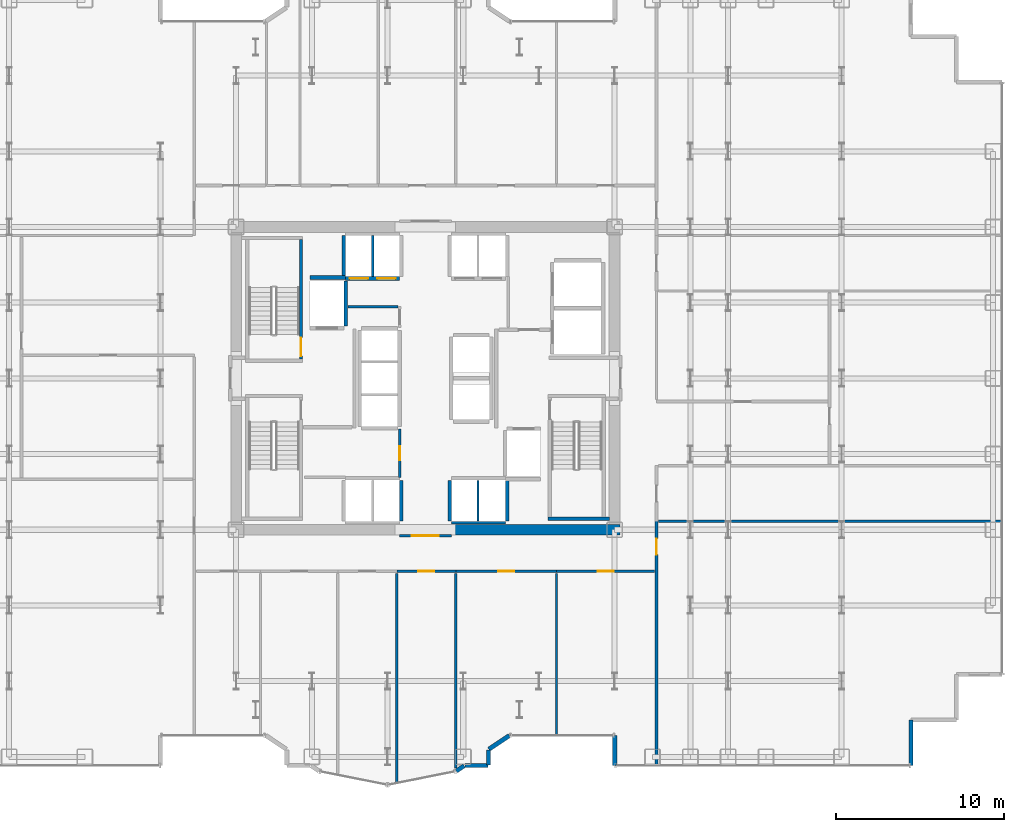
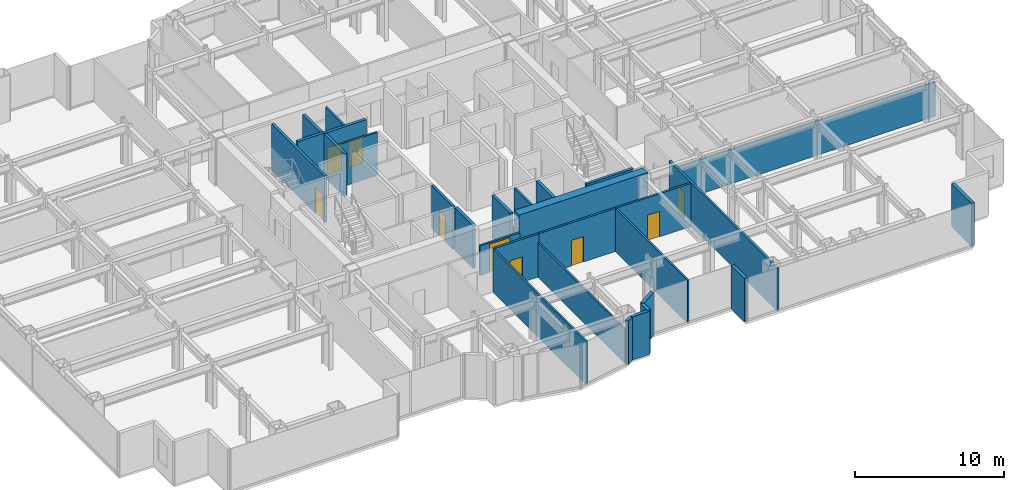
# One storey, part 21 of 26: 30 walls, 9 doors, 9 openings.
"""IFC4 building model written with IfcOpenShell, lengths in metres."""

from ifc_helpers import new_model, si_unit, direction, frame, frame_2d, origin, place, context, subcontext, project, spatial, rectangle, extrude, source, transform, mapped, material, layer, layer_set, type_object, element, fill, save


model = new_model("IFC4")

# Units and contexts
model_context = context("Model", 3, precision=1e-05, world=origin(), true_north=direction((0.0, 1.0)))
body_context = subcontext(model_context, "Body", "Model", "MODEL_VIEW")
ifc_project = project(units=[si_unit("LENGTHUNIT", "METRE"), si_unit("AREAUNIT", "SQUARE_METRE"), si_unit("VOLUMEUNIT", "CUBIC_METRE"), si_unit("PLANEANGLEUNIT", "RADIAN"), si_unit("MASSUNIT", "GRAM", prefix="KILO")], contexts=[model_context])

# Site, building, storey
site_placement = place(None, origin())
site = spatial("IfcSite", under=ifc_project, at=site_placement, CompositionType="ELEMENT")
building_placement = place(site_placement, origin())
building = spatial("IfcBuilding", under=site, at=building_placement, Name="Nefas-Gora Pilgrimage Tower", CompositionType="ELEMENT")
storey_placement = place(building_placement, frame((0.0, 0.0, 63.39990234375)))
storey = spatial("IfcBuildingStorey", under=building, at=storey_placement, Name="L14", CompositionType="ELEMENT", Elevation=63.39990234375)

# Walls
ifc_material_1 = material(Name="Concrete C60/75", Category="concrete")
ifc_layer_1 = layer(ifc_material_1, 0.64990234375)
ifc_layer_set_1 = layer_set([ifc_layer_1], Name="Concrete C60/75")
wall_type_1 = type_object("IfcWallType", Name="SW-CORE-650", PredefinedType="SHEAR", material=ifc_layer_set_1)
shared_shape_1 = source(origin(), body_context, "Body", "SweptSolid", [
    extrude(rectangle(XDim=10.02490234375, YDim=0.64990234375, at=frame_2d((5.012451171875, 0.0))), origin(), (0.0, 0.0, 1.0), 3.800048828125),
])
wall_1_placement = place(storey_placement, frame((1.550048828125, -9.0, 0.0), z_axis=(0.0, 0.0, 1.0), x_axis=(1.0, 0.0, 0.0)))
element("IfcWall", 1, at=wall_1_placement, inside=storey, type_object=wall_type_1, Name="L14 Core Shear Wall S-East", PredefinedType="SHEAR", context=body_context, shape_type="MappedRepresentation", body=[
    mapped(shared_shape_1, transform((0.0, 0.0, 0.0), x_axis=(1.0, 0.0, 0.0), y_axis=(0.0, 1.0, 0.0), z_axis=(0.0, 0.0, 1.0), scale=1.0)),
])
ifc_material_2 = material(Name="Precast concrete C40/50", Category="concrete")
ifc_layer_2 = layer(ifc_material_2, 0.260009765625)
ifc_layer_set_2 = layer_set([ifc_layer_2], Name="Precast concrete C40/50")
wall_type_2 = type_object("IfcWallType", Name="EW-PORTAL-260", PredefinedType="SOLIDWALL", material=ifc_layer_set_2)
shared_shape_2 = source(origin(), body_context, "Body", "SweptSolid", [
    extrude(rectangle(XDim=1.800048828125, YDim=0.260009765625, at=frame_2d((0.89990234375, 0.0))), origin(), (0.0, 0.0, 1.0), 3.550048828125),
])
wall_2_placement = place(storey_placement, frame((11.25, -21.219970703125, 0.0), z_axis=(0.0, 0.0, 1.0), x_axis=(0.0, -1.0, 0.0)))
element("IfcWall", 2, at=wall_2_placement, inside=storey, type_object=wall_type_2, Name="L14 Lobe Shoulder Precast Spandrel Pier 1", PredefinedType="SOLIDWALL", context=body_context, shape_type="MappedRepresentation", body=[
    mapped(shared_shape_2, transform((0.0, 0.0, 0.0), x_axis=(1.0, 0.0, 0.0), y_axis=(0.0, 1.0, 0.0), z_axis=(0.0, 0.0, 1.0), scale=1.0)),
])
ifc_material_3 = material(Name="Precast concrete C45/55", Category="concrete")
ifc_layer_3 = layer(ifc_material_3, 0.239990234375)
ifc_layer_set_3 = layer_set([ifc_layer_3], Name="Precast concrete C45/55")
wall_type_3 = type_object("IfcWallType", Name="EW-SERR-240", PredefinedType="SHEAR", material=ifc_layer_set_3)
shared_shape_3 = source(origin(), body_context, "Body", "SweptSolid", [
    extrude(rectangle(XDim=2.699951171875, YDim=0.239990234375, at=frame_2d((1.35009765625, 0.0))), origin(), (0.0, 0.0, 1.0), 3.550048828125),
])
wall_3_placement = place(storey_placement, frame((28.8701171875, -23.02001953125, 0.0), z_axis=(0.0, 0.0, 1.0), x_axis=(0.0, 1.0, 0.0)))
element("IfcWall", 3, at=wall_3_placement, inside=storey, type_object=wall_type_3, Name="L14 Serrated Corner Shear Pier Wall 2", PredefinedType="SHEAR", context=body_context, shape_type="MappedRepresentation", body=[
    mapped(shared_shape_3, transform((0.0, 0.0, 0.0), x_axis=(1.0, 0.0, 0.0), y_axis=(0.0, 1.0, 0.0), z_axis=(0.0, 0.0, 1.0), scale=1.0)),
])
shared_shape_4 = source(origin(), body_context, "Body", "SweptSolid", [
    extrude(rectangle(XDim=1.468994140625, YDim=0.260009765625, at=frame_2d((0.734375, 0.0))), origin(), (0.0, 0.0, 1.0), 3.550048828125),
])
wall_4_placement = place(storey_placement, frame((3.773193359375, -22.0517578125, 0.0), z_axis=(0.0, 0.0, 1.0), x_axis=(0.831461760506, 0.555581983884, 0.0)))
element("IfcWall", 4, at=wall_4_placement, inside=storey, type_object=wall_type_2, Name="L14 Lobe Shoulder Precast Spandrel Pier 36", PredefinedType="SOLIDWALL", context=body_context, shape_type="MappedRepresentation", body=[
    mapped(shared_shape_4, transform((0.0, 0.0, 0.0), x_axis=(1.0, 0.0, 0.0), y_axis=(0.0, 1.0, 0.0), z_axis=(0.0, 0.0, 1.0), scale=1.0)),
])
shared_shape_5 = source(origin(), body_context, "Body", "SweptSolid", [
    extrude(rectangle(XDim=0.896728515625, YDim=0.260009765625, at=frame_2d((0.4482421875, 0.0))), origin(), (0.0, 0.0, 1.0), 3.550048828125),
])
wall_5_placement = place(storey_placement, frame((3.75, -22.991943359375, 0.0), z_axis=(0.0, 0.0, 1.0), x_axis=(0.0, 1.0, 0.0)))
element("IfcWall", 5, at=wall_5_placement, inside=storey, type_object=wall_type_2, Name="L14 Lobe Shoulder Precast Spandrel Pier 35", PredefinedType="SOLIDWALL", context=body_context, shape_type="MappedRepresentation", body=[
    mapped(shared_shape_5, transform((0.0, 0.0, 0.0), x_axis=(1.0, 0.0, 0.0), y_axis=(0.0, 1.0, 0.0), z_axis=(0.0, 0.0, 1.0), scale=1.0)),
])
shared_shape_6 = source(origin(), body_context, "Body", "SweptSolid", [
    extrude(rectangle(XDim=1.369873046875, YDim=0.260009765625, at=frame_2d((0.68505859375, 0.0))), origin(), (0.0, 0.0, 1.0), 3.550048828125),
])
wall_6_placement = place(storey_placement, frame((2.35205078125, -23.02001953125, 0.0), z_axis=(0.0, 0.0, 1.0), x_axis=(1.0, 0.0, 0.0)))
element("IfcWall", 6, at=wall_6_placement, inside=storey, type_object=wall_type_2, Name="L14 Lobe Shoulder Precast Spandrel Pier 34", PredefinedType="SOLIDWALL", context=body_context, shape_type="MappedRepresentation", body=[
    mapped(shared_shape_6, transform((0.0, 0.0, 0.0), x_axis=(1.0, 0.0, 0.0), y_axis=(0.0, 1.0, 0.0), z_axis=(0.0, 0.0, 1.0), scale=1.0)),
])
shared_shape_7 = source(origin(), body_context, "Body", "SweptSolid", [
    extrude(rectangle(XDim=0.5654296875, YDim=0.260009765625, at=frame_2d((0.28271484375, 0.0))), origin(), (0.0, 0.0, 1.0), 3.550048828125),
])
wall_7_placement = place(storey_placement, frame((1.83056640625, -23.349609375, 0.0), z_axis=(0.0, 0.0, 1.0), x_axis=(0.831651492666, 0.555297933317, 0.0)))
element("IfcWall", 7, at=wall_7_placement, inside=storey, type_object=wall_type_2, Name="L14 Lobe Shoulder Precast Spandrel Pier 33", PredefinedType="SOLIDWALL", context=body_context, shape_type="MappedRepresentation", body=[
    mapped(shared_shape_7, transform((0.0, 0.0, 0.0), x_axis=(1.0, 0.0, 0.0), y_axis=(0.0, 1.0, 0.0), z_axis=(0.0, 0.0, 1.0), scale=1.0)),
])
ifc_material_4 = material(Name="Concrete C45/55", Category="concrete")
ifc_layer_4 = layer(ifc_material_4, 0.199951171875)
ifc_layer_set_4 = layer_set([ifc_layer_4], Name="Concrete C45/55")
wall_type_4 = type_object("IfcWallType", Name="IW-STAIR-200", PredefinedType="SOLIDWALL", material=ifc_layer_set_4)
shared_shape_8 = source(origin(), body_context, "Body", "SweptSolid", [
    extrude(rectangle(XDim=3.6298828125, YDim=0.199951171875, at=frame_2d((1.81494140625, 0.0))), origin(), (0.0, 0.0, 1.0), 3.800048828125),
])
wall_8_placement = place(storey_placement, frame((7.300048828125, -8.35009765625, 0.0), z_axis=(0.0, 0.0, 1.0), x_axis=(1.0, 0.0, 0.0)))
element("IfcWall", 8, at=wall_8_placement, inside=storey, type_object=wall_type_4, Name="L14 Stairwell Shear Wall ST-02-far", PredefinedType="SOLIDWALL", context=body_context, shape_type="MappedRepresentation", body=[
    mapped(shared_shape_8, transform((0.0, 0.0, 0.0), x_axis=(1.0, 0.0, 0.0), y_axis=(0.0, 1.0, 0.0), z_axis=(0.0, 0.0, 1.0), scale=1.0)),
])

# Wall, opening, door
shared_shape_9 = source(origin(), body_context, "Body", "SweptSolid", [
    extrude(rectangle(XDim=7.10009765625, YDim=0.199951171875, at=frame_2d((3.550048828125, 0.0))), origin(), (0.0, 0.0, 1.0), 3.800048828125),
])
wall_9_placement = place(storey_placement, frame((-7.39990234375, 1.14990234375, 0.0), z_axis=(0.0, 0.0, 1.0), x_axis=(0.0, 1.0, 0.0)))
wall_9 = element("IfcWall", 9, at=wall_9_placement, inside=storey, type_object=wall_type_4, Name="L14 Stairwell Shear Wall ST-01-left", PredefinedType="SOLIDWALL", context=body_context, shape_type="MappedRepresentation", body=[
    mapped(shared_shape_9, transform((0.0, 0.0, 0.0), x_axis=(1.0, 0.0, 0.0), y_axis=(0.0, 1.0, 0.0), z_axis=(0.0, 0.0, 1.0), scale=1.0)),
])
opening_1_placement = place(wall_9_placement, frame((0.179931640625, 0.0, 0.0)))
opening_1 = element("IfcOpeningElement", 10, at=opening_1_placement, cuts=wall_9, Name="Opening ID-ST1", PredefinedType="OPENING", context=body_context, shape_type="SweptSolid", body=[
    extrude(rectangle(XDim=1.10009765625, YDim=2.14990234375, at=frame_2d((0.550048828125, 1.074951171875))), frame((0.0, 0.10986328125, 0.0), z_axis=(0.0, -1.0, 0.0), x_axis=(1.0, 0.0, 0.0)), (0.0, 0.0, 1.0), 0.219970703125),
])
ifc_material_5 = material(Name="Painted galvanised steel fire stair door", Category="steel")
door_type_1 = type_object("IfcDoorType", Name="DR-INT-STAIR-1100", OperationType="NOTDEFINED", PredefinedType="DOOR", material=ifc_material_5)
shared_shape_10 = source(origin(), body_context, "Body", "SweptSolid", [
    extrude(rectangle(XDim=1.10009765625, YDim=2.14990234375, at=frame_2d((0.550048828125, 1.074951171875))), frame((0.0, 0.02490234375, 0.0), z_axis=(0.0, -1.0, 0.0), x_axis=(1.0, 0.0, 0.0)), (0.0, 0.0, 1.0), 0.050048828125),
])
door_1_placement = place(opening_1_placement, origin())
door_1 = element("IfcDoor", 11, at=door_1_placement, inside=storey, type_object=door_type_1, Name="L14 Protected Exit Stair Door ST-01", OperationType="SINGLE_SWING_RIGHT", OverallHeight=2.14990234375, OverallWidth=1.10009765625, PredefinedType="DOOR", context=body_context, shape_type="MappedRepresentation", body=[
    mapped(shared_shape_10, transform((0.0, 0.0, 0.0), x_axis=(1.0, 0.0, 0.0), y_axis=(0.0, 1.0, 0.0), z_axis=(0.0, 0.0, 1.0), scale=1.0)),
])
fill(opening_1, door_1)

# Walls
ifc_material_6 = material(Name="Gypsum acoustic stud partition")
ifc_layer_5 = layer(ifc_material_6, 0.159912109375)
ifc_layer_set_5 = layer_set([ifc_layer_5], Name="Gypsum acoustic stud partition")
wall_type_5 = type_object("IfcWallType", Name="IW-CORR-160", PredefinedType="PARTITIONING", material=ifc_layer_set_5)
shared_shape_11 = source(origin(), body_context, "Body", "SweptSolid", [
    extrude(rectangle(XDim=3.199951171875, YDim=0.159912109375, at=frame_2d((1.60009765625, 0.0))), origin(), (0.0, 0.0, 1.0), 2.425048828125),
])
wall_10_placement = place(storey_placement, frame((1.550048828125, -8.580078125, 0.0), z_axis=(0.0, 0.0, 1.0), x_axis=(1.0, 0.0, 0.0)))
element("IfcWall", 12, at=wall_10_placement, inside=storey, type_object=wall_type_5, Name="L14 Hoistway Wall PL2-E-S", PredefinedType="PARTITIONING", context=body_context, shape_type="MappedRepresentation", body=[
    mapped(shared_shape_11, transform((0.0, 0.0, 0.0), x_axis=(1.0, 0.0, 0.0), y_axis=(0.0, 1.0, 0.0), z_axis=(0.0, 0.0, 1.0), scale=1.0)),
])
ifc_material_7 = material(Name="Concrete C40/50", Category="concrete")
ifc_layer_6 = layer(ifc_material_7, 0.219970703125)
ifc_layer_set_6 = layer_set([ifc_layer_6], Name="Concrete C40/50")
wall_type_6 = type_object("IfcWallType", Name="IW-SHAFT-220", PredefinedType="SOLIDWALL", material=ifc_layer_set_6)
shared_shape_12 = source(origin(), body_context, "Body", "SweptSolid", [
    extrude(rectangle(XDim=2.679931640625, YDim=0.219970703125, at=frame_2d((1.33984375, 0.0))), origin(), (0.0, 0.0, 1.0), 3.53515625),
])
wall_11_placement = place(storey_placement, frame((-4.739990234375, 3.110107421875, 0.0), z_axis=(0.0, 0.0, 1.0), x_axis=(0.0, 1.0, 0.0)))
element("IfcWall", 13, at=wall_11_placement, inside=storey, type_object=wall_type_6, Name="L14 Hoistway Wall FFL-01-E", PredefinedType="SOLIDWALL", context=body_context, shape_type="MappedRepresentation", body=[
    mapped(shared_shape_12, transform((0.0, 0.0, 0.0), x_axis=(1.0, 0.0, 0.0), y_axis=(0.0, 1.0, 0.0), z_axis=(0.0, 0.0, 1.0), scale=1.0)),
])

# Wall, openings, doors
shared_shape_13 = source(origin(), body_context, "Body", "SweptSolid", [
    extrude(rectangle(XDim=3.199951171875, YDim=0.219970703125, at=frame_2d((1.60009765625, 0.0))), origin(), (0.0, 0.0, 1.0), 3.53515625),
])
wall_12_placement = place(storey_placement, frame((-4.75, 5.93994140625, 0.0), z_axis=(0.0, 0.0, 1.0), x_axis=(1.0, 0.0, 0.0)))
wall_12 = element("IfcWall", 14, at=wall_12_placement, inside=storey, type_object=wall_type_6, Name="L14 Hoistway Wall PL1-W-S", PredefinedType="SOLIDWALL", context=body_context, shape_type="MappedRepresentation", body=[
    mapped(shared_shape_13, transform((0.0, 0.0, 0.0), x_axis=(1.0, 0.0, 0.0), y_axis=(0.0, 1.0, 0.0), z_axis=(0.0, 0.0, 1.0), scale=1.0)),
])
opening_2_placement = place(wall_12_placement, frame((0.25, 0.0, 0.0)))
opening_2 = element("IfcOpeningElement", 15, at=opening_2_placement, cuts=wall_12, Name="Opening LD-01", PredefinedType="OPENING", context=body_context, shape_type="SweptSolid", body=[
    extrude(rectangle(XDim=1.10009765625, YDim=2.199951171875, at=frame_2d((0.550048828125, 1.10009765625))), frame((0.0, 0.119873046875, 0.0), z_axis=(0.0, -1.0, 0.0), x_axis=(1.0, 0.0, 0.0)), (0.0, 0.0, 1.0), 0.239990234375),
])
opening_3_placement = place(wall_12_placement, frame((1.875, 0.0, 0.0)))
opening_3 = element("IfcOpeningElement", 16, at=opening_3_placement, cuts=wall_12, Name="Opening LD-01", PredefinedType="OPENING", context=body_context, shape_type="SweptSolid", body=[
    extrude(rectangle(XDim=1.10009765625, YDim=2.199951171875, at=frame_2d((0.550048828125, 1.10009765625))), frame((0.0, 0.119873046875, 0.0), z_axis=(0.0, -1.0, 0.0), x_axis=(1.0, 0.0, 0.0)), (0.0, 0.0, 1.0), 0.239990234375),
])
ifc_material_8 = material(Name="Brushed stainless sliding lift landing door")
door_type_2 = type_object("IfcDoorType", Name="DR-LIFT-PASS-1100", OperationType="DOUBLE_DOOR_SLIDING", PredefinedType="DOOR", material=ifc_material_8)
shared_shape_14 = source(origin(), body_context, "Body", "SweptSolid", [
    extrude(rectangle(XDim=1.10009765625, YDim=2.199951171875, at=frame_2d((0.550048828125, 1.10009765625))), frame((0.0, 0.02490234375, 0.0), z_axis=(0.0, -1.0, 0.0), x_axis=(1.0, 0.0, 0.0)), (0.0, 0.0, 1.0), 0.050048828125),
])
door_2_placement = place(opening_2_placement, origin())
door_2 = element("IfcDoor", 17, at=door_2_placement, inside=storey, type_object=door_type_2, Name="L14 Sliding Lift Landing Door PL1-01", OperationType="DOUBLE_DOOR_SLIDING", OverallHeight=2.199951171875, OverallWidth=1.10009765625, PredefinedType="DOOR", context=body_context, shape_type="MappedRepresentation", body=[
    mapped(shared_shape_14, transform((0.0, 0.0, 0.0), x_axis=(1.0, 0.0, 0.0), y_axis=(0.0, 1.0, 0.0), z_axis=(0.0, 0.0, 1.0), scale=1.0)),
])
fill(opening_2, door_2)
door_3_placement = place(opening_3_placement, origin())
door_3 = element("IfcDoor", 18, at=door_3_placement, inside=storey, type_object=door_type_2, Name="L14 Sliding Lift Landing Door PL1-02", OperationType="DOUBLE_DOOR_SLIDING", OverallHeight=2.199951171875, OverallWidth=1.10009765625, PredefinedType="DOOR", context=body_context, shape_type="MappedRepresentation", body=[
    mapped(shared_shape_14, transform((0.0, 0.0, 0.0), x_axis=(1.0, 0.0, 0.0), y_axis=(0.0, 1.0, 0.0), z_axis=(0.0, 0.0, 1.0), scale=1.0)),
])
fill(opening_3, door_3)

# Walls
shared_shape_15 = source(origin(), body_context, "Body", "SweptSolid", [
    extrude(rectangle(XDim=2.429931640625, YDim=0.219970703125, at=frame_2d((1.21484375, 0.0))), origin(), (0.0, 0.0, 1.0), 3.53515625),
])
for number, where, z_axis, x_axis, name in (
    (19, (-4.860107421875, 8.489990234375, 0.0), (0.0, 0.0, 1.0), (0.0, -1.0, 0.0), "L14 Hoistway Wall PL1-W-W"),
    (20, (-1.43994140625, -8.489990234375, 0.0), (0.0, 0.0, 1.0), (0.0, 1.0, 0.0), "L14 Hoistway Wall PL2-W-E"),
    (21, (1.43994140625, -6.06005859375, 0.0), (0.0, 0.0, 1.0), (0.0, -1.0, 0.0), "L14 Hoistway Wall PL2-E-W"),
    (22, (4.860107421875, -8.489990234375, 0.0), (0.0, 0.0, 1.0), (0.0, 1.0, 0.0), "L14 Hoistway Wall PL2-E-E"),
):
    element("IfcWall", number, at=place(storey_placement, frame(where, z_axis=z_axis, x_axis=x_axis)), inside=storey, type_object=wall_type_6, Name=name, PredefinedType="SOLIDWALL", context=body_context, shape_type="MappedRepresentation", body=[
        mapped(shared_shape_15, transform((0.0, 0.0, 0.0), x_axis=(1.0, 0.0, 0.0), y_axis=(0.0, 1.0, 0.0), z_axis=(0.0, 0.0, 1.0), scale=1.0)),
    ])
ifc_material_9 = material(Name="Gypsum twin-stud partition")
ifc_layer_7 = layer(ifc_material_9, 0.139892578125)
ifc_layer_set_7 = layer_set([ifc_layer_7], Name="Gypsum twin-stud partition")
wall_type_7 = type_object("IfcWallType", Name="IW-UNIT-140", PredefinedType="PARTITIONING", material=ifc_layer_set_7)
shared_shape_16 = source(origin(), body_context, "Body", "SweptSolid", [
    extrude(rectangle(XDim=2.429931640625, YDim=0.139892578125, at=frame_2d((1.21484375, 0.0))), origin(), (0.0, 0.0, 1.0), 3.53515625),
])
for number, where, z_axis, x_axis, name in (
    (23, (-3.125, 6.06005859375, 0.0), (0.0, 0.0, 1.0), (0.0, 1.0, 0.0), "L14 Hoistway Wall PL1-W-DIV"),
    (24, (3.125, -8.489990234375, 0.0), (0.0, 0.0, 1.0), (0.0, 1.0, 0.0), "L14 Hoistway Wall PL2-E-DIV"),
):
    element("IfcWall", number, at=place(storey_placement, frame(where, z_axis=z_axis, x_axis=x_axis)), inside=storey, type_object=wall_type_7, Name=name, PredefinedType="PARTITIONING", context=body_context, shape_type="MappedRepresentation", body=[
        mapped(shared_shape_16, transform((0.0, 0.0, 0.0), x_axis=(1.0, 0.0, 0.0), y_axis=(0.0, 1.0, 0.0), z_axis=(0.0, 0.0, 1.0), scale=1.0)),
    ])

# Wall, opening, door
shared_shape_17 = source(origin(), body_context, "Body", "SweptSolid", [
    extrude(rectangle(XDim=3.08984375, YDim=0.159912109375, at=frame_2d((1.544921875, 0.0))), origin(), (0.0, 0.0, 1.0), 2.425048828125),
])
wall_13_placement = place(storey_placement, frame((-1.544921875, -9.35009765625, 0.0), z_axis=(0.0, 0.0, 1.0), x_axis=(1.0, 0.0, 0.0)))
wall_13 = element("IfcWall", 25, at=wall_13_placement, inside=storey, type_object=wall_type_5, Name="L14 Central Lift Lobby South Portal Wall 14", PredefinedType="PARTITIONING", context=body_context, shape_type="MappedRepresentation", body=[
    mapped(shared_shape_17, transform((0.0, 0.0, 0.0), x_axis=(1.0, 0.0, 0.0), y_axis=(0.0, 1.0, 0.0), z_axis=(0.0, 0.0, 1.0), scale=1.0)),
])
opening_4_placement = place(wall_13_placement, frame((0.7451171875, 0.0, 0.0)))
opening_4 = element("IfcOpeningElement", 26, at=opening_4_placement, cuts=wall_13, Name="Opening ID-HL1", PredefinedType="OPENING", context=body_context, shape_type="SweptSolid", body=[
    extrude(rectangle(XDim=1.60009765625, YDim=2.300048828125, at=frame_2d((0.800048828125, 1.14990234375))), frame((0.0, 0.08984375, 0.0), z_axis=(0.0, -1.0, 0.0), x_axis=(1.0, 0.0, 0.0)), (0.0, 0.0, 1.0), 0.179931640625),
])
ifc_material_10 = material(Name="Double acoustic timber assembly hall door", Category="wood")
door_type_3 = type_object("IfcDoorType", Name="DR-INT-HALL-1600", OperationType="DOUBLE_DOOR_SINGLE_SWING", PredefinedType="DOOR", material=ifc_material_10)
shared_shape_18 = source(origin(), body_context, "Body", "SweptSolid", [
    extrude(rectangle(XDim=1.60009765625, YDim=2.300048828125, at=frame_2d((0.800048828125, 1.14990234375))), frame((0.0, 0.02490234375, 0.0), z_axis=(0.0, -1.0, 0.0), x_axis=(1.0, 0.0, 0.0)), (0.0, 0.0, 1.0), 0.050048828125),
])
door_4_placement = place(opening_4_placement, origin())
door_4 = element("IfcDoor", 27, at=door_4_placement, inside=storey, type_object=door_type_3, Name="L14 Central Lift Lobby South Portal Door 5", OperationType="DOUBLE_DOOR_SINGLE_SWING", OverallHeight=2.300048828125, OverallWidth=1.60009765625, PredefinedType="DOOR", context=body_context, shape_type="MappedRepresentation", body=[
    mapped(shared_shape_18, transform((0.0, 0.0, 0.0), x_axis=(1.0, 0.0, 0.0), y_axis=(0.0, 1.0, 0.0), z_axis=(0.0, 0.0, 1.0), scale=1.0)),
])
fill(opening_4, door_4)

# Walls
shared_shape_19 = source(origin(), body_context, "Body", "SweptSolid", [
    extrude(rectangle(XDim=2.09521484375, YDim=0.219970703125, at=frame_2d((1.047607421875, 0.0))), origin(), (0.0, 0.0, 1.0), 3.53515625),
])
wall_14_placement = place(storey_placement, frame((-6.85009765625, 6.0, 0.0), z_axis=(0.0, 0.0, 1.0), x_axis=(1.0, 0.0, 0.0)))
element("IfcWall", 28, at=wall_14_placement, inside=storey, type_object=wall_type_6, Name="L14 Riser Shaft Wall 1", PredefinedType="SOLIDWALL", context=body_context, shape_type="MappedRepresentation", body=[
    mapped(shared_shape_19, transform((0.0, 0.0, 0.0), x_axis=(1.0, 0.0, 0.0), y_axis=(0.0, 1.0, 0.0), z_axis=(0.0, 0.0, 1.0), scale=1.0)),
])
shared_shape_20 = source(origin(), body_context, "Body", "SweptSolid", [
    extrude(rectangle(XDim=2.9501953125, YDim=0.139892578125, at=frame_2d((1.47509765625, 0.0))), origin(), (0.0, 0.0, 1.0), 3.53515625),
])
wall_15_placement = place(storey_placement, frame((-4.590087890625, 4.25, 0.0), z_axis=(0.0, 0.0, 1.0), x_axis=(1.0, 0.0, 0.0)))
element("IfcWall", 29, at=wall_15_placement, inside=storey, type_object=wall_type_7, Name="L14 Housekeeping and Linen Store Partition Wall 17", PredefinedType="PARTITIONING", context=body_context, shape_type="MappedRepresentation", body=[
    mapped(shared_shape_20, transform((0.0, 0.0, 0.0), x_axis=(1.0, 0.0, 0.0), y_axis=(0.0, 1.0, 0.0), z_axis=(0.0, 0.0, 1.0), scale=1.0)),
])
shared_shape_21 = source(origin(), body_context, "Body", "SweptSolid", [
    extrude(rectangle(XDim=9.64990234375, YDim=0.139892578125, at=frame_2d((4.824951171875, 0.0))), origin(), (0.0, 0.0, 1.0), 3.53515625),
])
wall_16_placement = place(storey_placement, frame((7.794921875, -21.239990234375, 0.0), z_axis=(0.0, 0.0, 1.0), x_axis=(0.0, 1.0, 0.0)))
element("IfcWall", 30, at=wall_16_placement, inside=storey, type_object=wall_type_7, Name="L14 Pilgrim Contemplative Lounge Partition Wall 58", PredefinedType="PARTITIONING", context=body_context, shape_type="MappedRepresentation", body=[
    mapped(shared_shape_21, transform((0.0, 0.0, 0.0), x_axis=(1.0, 0.0, 0.0), y_axis=(0.0, 1.0, 0.0), z_axis=(0.0, 0.0, 1.0), scale=1.0)),
])

# Wall, opening, door
shared_shape_22 = source(origin(), body_context, "Body", "SweptSolid", [
    extrude(rectangle(XDim=2.8798828125, YDim=0.159912109375, at=frame_2d((1.43994140625, 0.0))), origin(), (0.0, 0.0, 1.0), 3.53515625),
])
wall_17_placement = place(storey_placement, frame((-1.52001953125, -5.889892578125, 0.0), z_axis=(0.0, 0.0, 1.0), x_axis=(0.0, 1.0, 0.0)))
wall_17 = element("IfcWall", 31, at=wall_17_placement, inside=storey, type_object=wall_type_5, Name="L14 Pilgrim Baggage and Gear Vault Wall 18", PredefinedType="PARTITIONING", context=body_context, shape_type="MappedRepresentation", body=[
    mapped(shared_shape_22, transform((0.0, 0.0, 0.0), x_axis=(1.0, 0.0, 0.0), y_axis=(0.0, 1.0, 0.0), z_axis=(0.0, 0.0, 1.0), scale=1.0)),
])
opening_5_placement = place(wall_17_placement, frame((1.014892578125, 0.0, 0.0)))
opening_5 = element("IfcOpeningElement", 32, at=opening_5_placement, cuts=wall_17, Name="Opening ID-BT1", PredefinedType="OPENING", context=body_context, shape_type="SweptSolid", body=[
    extrude(rectangle(XDim=0.85009765625, YDim=2.10009765625, at=frame_2d((0.425048828125, 1.050048828125))), frame((0.0, 0.08984375, 0.0), z_axis=(0.0, -1.0, 0.0), x_axis=(1.0, 0.0, 0.0)), (0.0, 0.0, 1.0), 0.179931640625),
])
ifc_material_11 = material(Name="Moisture-resistant fire-rated timber door", Category="wood")
door_type_4 = type_object("IfcDoorType", Name="DR-INT-BATH-850", OperationType="NOTDEFINED", PredefinedType="DOOR", material=ifc_material_11)
shared_shape_23 = source(origin(), body_context, "Body", "SweptSolid", [
    extrude(rectangle(XDim=0.85009765625, YDim=2.10009765625, at=frame_2d((0.425048828125, 1.050048828125))), frame((0.0, 0.02490234375, 0.0), z_axis=(0.0, -1.0, 0.0), x_axis=(1.0, 0.0, 0.0)), (0.0, 0.0, 1.0), 0.050048828125),
])
door_5_placement = place(opening_5_placement, origin())
door_5 = element("IfcDoor", 33, at=door_5_placement, inside=storey, type_object=door_type_4, Name="L14 Pilgrim Baggage and Gear Vault Door 7", OperationType="SINGLE_SWING_RIGHT", OverallHeight=2.10009765625, OverallWidth=0.85009765625, PredefinedType="DOOR", context=body_context, shape_type="MappedRepresentation", body=[
    mapped(shared_shape_23, transform((0.0, 0.0, 0.0), x_axis=(1.0, 0.0, 0.0), y_axis=(0.0, 1.0, 0.0), z_axis=(0.0, 0.0, 1.0), scale=1.0)),
])
fill(opening_5, door_5)

# Wall
shared_shape_24 = source(origin(), body_context, "Body", "SweptSolid", [
    extrude(rectangle(XDim=20.429931640625, YDim=0.139892578125, at=frame_2d((10.21484375, 0.0))), origin(), (0.0, 0.0, 1.0), 2.8251953125),
])
wall_18_placement = place(storey_placement, frame((13.860107421875, -8.5048828125, 0.0), z_axis=(0.0, 0.0, 1.0), x_axis=(1.0, 0.0, 0.0)))
element("IfcWall", 34, at=wall_18_placement, inside=storey, type_object=wall_type_7, Name="L14 Pilgrim Fellowship Seminar Room Partition Wall 31", PredefinedType="PARTITIONING", context=body_context, shape_type="MappedRepresentation", body=[
    mapped(shared_shape_24, transform((0.0, 0.0, 0.0), x_axis=(1.0, 0.0, 0.0), y_axis=(0.0, 1.0, 0.0), z_axis=(0.0, 0.0, 1.0), scale=1.0)),
])

# Wall, opening, door
shared_shape_25 = source(origin(), body_context, "Body", "SweptSolid", [
    extrude(rectangle(XDim=14.544921875, YDim=0.159912109375, at=frame_2d((7.2724609375, 0.0))), origin(), (0.0, 0.0, 1.0), 3.53515625),
])
wall_19_placement = place(storey_placement, frame((13.739990234375, -23.0400390625, 0.0), z_axis=(0.0, 0.0, 1.0), x_axis=(0.0, 1.0, 0.0)))
wall_19 = element("IfcWall", 35, at=wall_19_placement, inside=storey, type_object=wall_type_5, Name="L14 Pilgrim Fellowship Seminar Room Partition Wall 30", PredefinedType="PARTITIONING", context=body_context, shape_type="MappedRepresentation", body=[
    mapped(shared_shape_25, transform((0.0, 0.0, 0.0), x_axis=(1.0, 0.0, 0.0), y_axis=(0.0, 1.0, 0.0), z_axis=(0.0, 0.0, 1.0), scale=1.0)),
])
opening_6_placement = place(wall_19_placement, frame((12.5625, 0.0, 0.0)))
opening_6 = element("IfcOpeningElement", 36, at=opening_6_placement, cuts=wall_19, Name="Opening ID-GR1", PredefinedType="OPENING", context=body_context, shape_type="SweptSolid", body=[
    extrude(rectangle(XDim=0.949951171875, YDim=2.10009765625, at=frame_2d((0.47509765625, 1.050048828125))), frame((0.0, 0.08984375, 0.0), z_axis=(0.0, -1.0, 0.0), x_axis=(1.0, 0.0, 0.0)), (0.0, 0.0, 1.0), 0.179931640625),
])
ifc_material_12 = material(Name="Solid core oak fire-rated guest entrance door")
door_type_5 = type_object("IfcDoorType", Name="DR-INT-GUEST-950", OperationType="NOTDEFINED", PredefinedType="DOOR", material=ifc_material_12)
shared_shape_26 = source(origin(), body_context, "Body", "SweptSolid", [
    extrude(rectangle(XDim=0.949951171875, YDim=2.10009765625, at=frame_2d((0.47509765625, 1.050048828125))), frame((0.0, 0.02490234375, 0.0), z_axis=(0.0, -1.0, 0.0), x_axis=(1.0, 0.0, 0.0)), (0.0, 0.0, 1.0), 0.050048828125),
])
door_6_placement = place(opening_6_placement, origin())
door_6 = element("IfcDoor", 37, at=door_6_placement, inside=storey, type_object=door_type_5, Name="L14 Pilgrim Fellowship Seminar Room Door 13", OperationType="SINGLE_SWING_RIGHT", OverallHeight=2.10009765625, OverallWidth=0.949951171875, PredefinedType="DOOR", context=body_context, shape_type="MappedRepresentation", body=[
    mapped(shared_shape_26, transform((0.0, 0.0, 0.0), x_axis=(1.0, 0.0, 0.0), y_axis=(0.0, 1.0, 0.0), z_axis=(0.0, 0.0, 1.0), scale=1.0)),
])
fill(opening_6, door_6)

# Walls
shared_shape_27 = source(origin(), body_context, "Body", "SweptSolid", [
    extrude(rectangle(XDim=12.4951171875, YDim=0.139892578125, at=frame_2d((6.24755859375, 0.0))), origin(), (0.0, 0.0, 1.0), 3.53515625),
])
wall_20_placement = place(storey_placement, frame((-1.7099609375, -24.085205078125, 0.0), z_axis=(0.0, 0.0, 1.0), x_axis=(0.0, 1.0, 0.0)))
element("IfcWall", 38, at=wall_20_placement, inside=storey, type_object=wall_type_7, Name="L14 Pilgrim Contemplative Lounge Partition Wall 54", PredefinedType="PARTITIONING", context=body_context, shape_type="MappedRepresentation", body=[
    mapped(shared_shape_27, transform((0.0, 0.0, 0.0), x_axis=(1.0, 0.0, 0.0), y_axis=(0.0, 1.0, 0.0), z_axis=(0.0, 0.0, 1.0), scale=1.0)),
])
shared_shape_28 = source(origin(), body_context, "Body", "SweptSolid", [
    extrude(rectangle(XDim=11.581298828125, YDim=0.139892578125, at=frame_2d((5.79052734375, 0.0))), origin(), (0.0, 0.0, 1.0), 2.8251953125),
])
wall_21_placement = place(storey_placement, frame((1.794921875, -23.17138671875, 0.0), z_axis=(0.0, 0.0, 1.0), x_axis=(0.0, 1.0, 0.0)))
element("IfcWall", 39, at=wall_21_placement, inside=storey, type_object=wall_type_7, Name="L14 Pastoral Chaplains Counselling Office Partition Wall 56", PredefinedType="PARTITIONING", context=body_context, shape_type="MappedRepresentation", body=[
    mapped(shared_shape_28, transform((0.0, 0.0, 0.0), x_axis=(1.0, 0.0, 0.0), y_axis=(0.0, 1.0, 0.0), z_axis=(0.0, 0.0, 1.0), scale=1.0)),
])

# Wall, opening, door
shared_shape_29 = source(origin(), body_context, "Body", "SweptSolid", [
    extrude(rectangle(XDim=6.010009765625, YDim=0.159912109375, at=frame_2d((3.0048828125, 0.0))), origin(), (0.0, 0.0, 1.0), 3.53515625),
])
wall_22_placement = place(storey_placement, frame((1.794921875, -11.469970703125, 0.0), z_axis=(0.0, 0.0, 1.0), x_axis=(1.0, 0.0, 0.0)))
wall_22 = element("IfcWall", 40, at=wall_22_placement, inside=storey, type_object=wall_type_5, Name="L14 Pilgrim Contemplative Lounge Partition Wall 57", PredefinedType="PARTITIONING", context=body_context, shape_type="MappedRepresentation", body=[
    mapped(shared_shape_29, transform((0.0, 0.0, 0.0), x_axis=(1.0, 0.0, 0.0), y_axis=(0.0, 1.0, 0.0), z_axis=(0.0, 0.0, 1.0), scale=1.0)),
])
opening_7_placement = place(wall_22_placement, frame((2.530029296875, 0.0, 0.0)))
opening_7 = element("IfcOpeningElement", 41, at=opening_7_placement, cuts=wall_22, Name="Opening ID-GR1", PredefinedType="OPENING", context=body_context, shape_type="SweptSolid", body=[
    extrude(rectangle(XDim=0.949951171875, YDim=2.10009765625, at=frame_2d((0.47509765625, 1.050048828125))), frame((0.0, 0.08984375, 0.0), z_axis=(0.0, -1.0, 0.0), x_axis=(1.0, 0.0, 0.0)), (0.0, 0.0, 1.0), 0.179931640625),
])
door_7_placement = place(opening_7_placement, origin())
door_7 = element("IfcDoor", 42, at=door_7_placement, inside=storey, type_object=door_type_5, Name="L14 Pilgrim Contemplative Lounge Door 28", OperationType="SINGLE_SWING_LEFT", OverallHeight=2.10009765625, OverallWidth=0.949951171875, PredefinedType="DOOR", context=body_context, shape_type="MappedRepresentation", body=[
    mapped(shared_shape_26, transform((0.0, 0.0, 0.0), x_axis=(1.0, 0.0, 0.0), y_axis=(0.0, 1.0, 0.0), z_axis=(0.0, 0.0, 1.0), scale=1.0)),
])
fill(opening_7, door_7)

shared_shape_30 = source(origin(), body_context, "Body", "SweptSolid", [
    extrude(rectangle(XDim=5.8251953125, YDim=0.159912109375, at=frame_2d((2.91259765625, 0.0))), origin(), (0.0, 0.0, 1.0), 3.53515625),
])
wall_23_placement = place(storey_placement, frame((7.794921875, -11.469970703125, 0.0), z_axis=(0.0, 0.0, 1.0), x_axis=(1.0, 0.0, 0.0)))
wall_23 = element("IfcWall", 43, at=wall_23_placement, inside=storey, type_object=wall_type_5, Name="L14 Pilgrim Contemplative Lounge Partition Wall 59", PredefinedType="PARTITIONING", context=body_context, shape_type="MappedRepresentation", body=[
    mapped(shared_shape_30, transform((0.0, 0.0, 0.0), x_axis=(1.0, 0.0, 0.0), y_axis=(0.0, 1.0, 0.0), z_axis=(0.0, 0.0, 1.0), scale=1.0)),
])
opening_8_placement = place(wall_23_placement, frame((2.4375, 0.0, 0.0)))
opening_8 = element("IfcOpeningElement", 44, at=opening_8_placement, cuts=wall_23, Name="Opening ID-GR1", PredefinedType="OPENING", context=body_context, shape_type="SweptSolid", body=[
    extrude(rectangle(XDim=0.949951171875, YDim=2.10009765625, at=frame_2d((0.47509765625, 1.050048828125))), frame((0.0, 0.08984375, 0.0), z_axis=(0.0, -1.0, 0.0), x_axis=(1.0, 0.0, 0.0)), (0.0, 0.0, 1.0), 0.179931640625),
])
door_8_placement = place(opening_8_placement, origin())
door_8 = element("IfcDoor", 45, at=door_8_placement, inside=storey, type_object=door_type_5, Name="L14 Pilgrim Contemplative Lounge Door 29", OperationType="SINGLE_SWING_RIGHT", OverallHeight=2.10009765625, OverallWidth=0.949951171875, PredefinedType="DOOR", context=body_context, shape_type="MappedRepresentation", body=[
    mapped(shared_shape_26, transform((0.0, 0.0, 0.0), x_axis=(1.0, 0.0, 0.0), y_axis=(0.0, 1.0, 0.0), z_axis=(0.0, 0.0, 1.0), scale=1.0)),
])
fill(opening_8, door_8)

shared_shape_31 = source(origin(), body_context, "Body", "SweptSolid", [
    extrude(rectangle(XDim=3.5048828125, YDim=0.159912109375, at=frame_2d((1.75244140625, 0.0))), origin(), (0.0, 0.0, 1.0), 3.53515625),
])
wall_24_placement = place(storey_placement, frame((-1.699951171875, -11.469970703125, 0.0), z_axis=(0.0, 0.0, 1.0), x_axis=(1.0, 0.0, 0.0)))
wall_24 = element("IfcWall", 46, at=wall_24_placement, inside=storey, type_object=wall_type_5, Name="L14 Pastoral Chaplains Counselling Office Partition Wall 55", PredefinedType="PARTITIONING", context=body_context, shape_type="MappedRepresentation", body=[
    mapped(shared_shape_31, transform((0.0, 0.0, 0.0), x_axis=(1.0, 0.0, 0.0), y_axis=(0.0, 1.0, 0.0), z_axis=(0.0, 0.0, 1.0), scale=1.0)),
])
opening_9_placement = place(wall_24_placement, frame((1.277587890625, 0.0, 0.0)))
opening_9 = element("IfcOpeningElement", 47, at=opening_9_placement, cuts=wall_24, Name="Opening ID-GR1", PredefinedType="OPENING", context=body_context, shape_type="SweptSolid", body=[
    extrude(rectangle(XDim=0.949951171875, YDim=2.10009765625, at=frame_2d((0.47509765625, 1.050048828125))), frame((0.0, 0.08984375, 0.0), z_axis=(0.0, -1.0, 0.0), x_axis=(1.0, 0.0, 0.0)), (0.0, 0.0, 1.0), 0.179931640625),
])
door_9_placement = place(opening_9_placement, origin())
door_9 = element("IfcDoor", 48, at=door_9_placement, inside=storey, type_object=door_type_5, Name="L14 Pastoral Chaplains Counselling Office Door 27", OperationType="SINGLE_SWING_RIGHT", OverallHeight=2.10009765625, OverallWidth=0.949951171875, PredefinedType="DOOR", context=body_context, shape_type="MappedRepresentation", body=[
    mapped(shared_shape_26, transform((0.0, 0.0, 0.0), x_axis=(1.0, 0.0, 0.0), y_axis=(0.0, 1.0, 0.0), z_axis=(0.0, 0.0, 1.0), scale=1.0)),
])
fill(opening_9, door_9)

save(model, "model.ifc")
